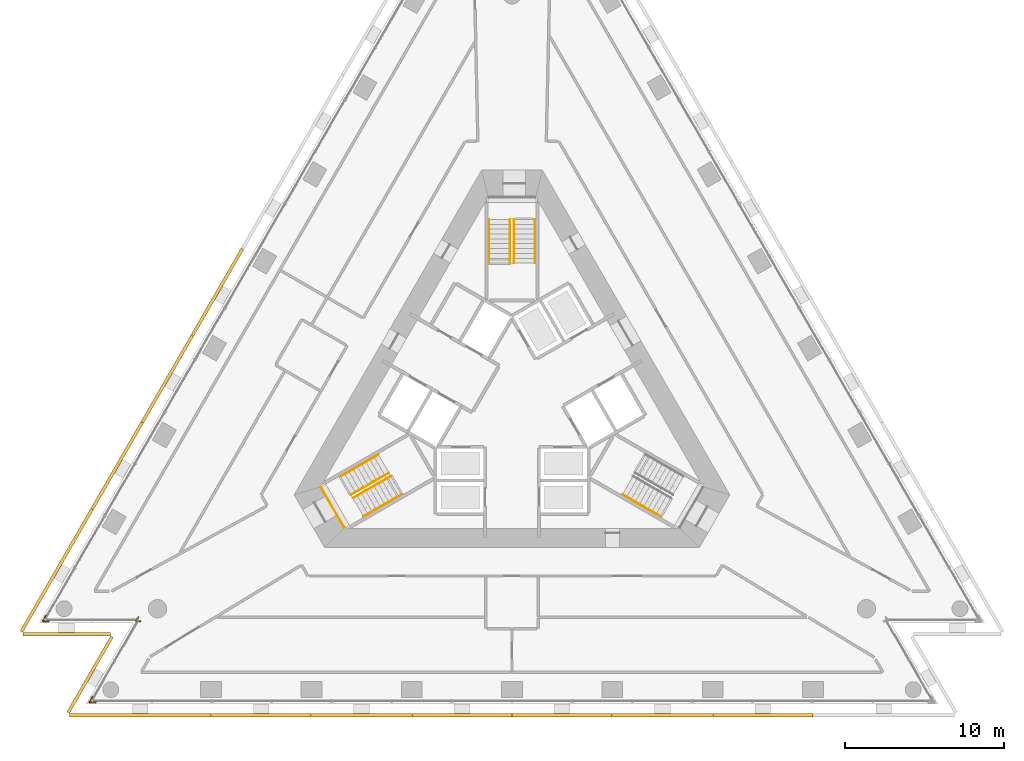
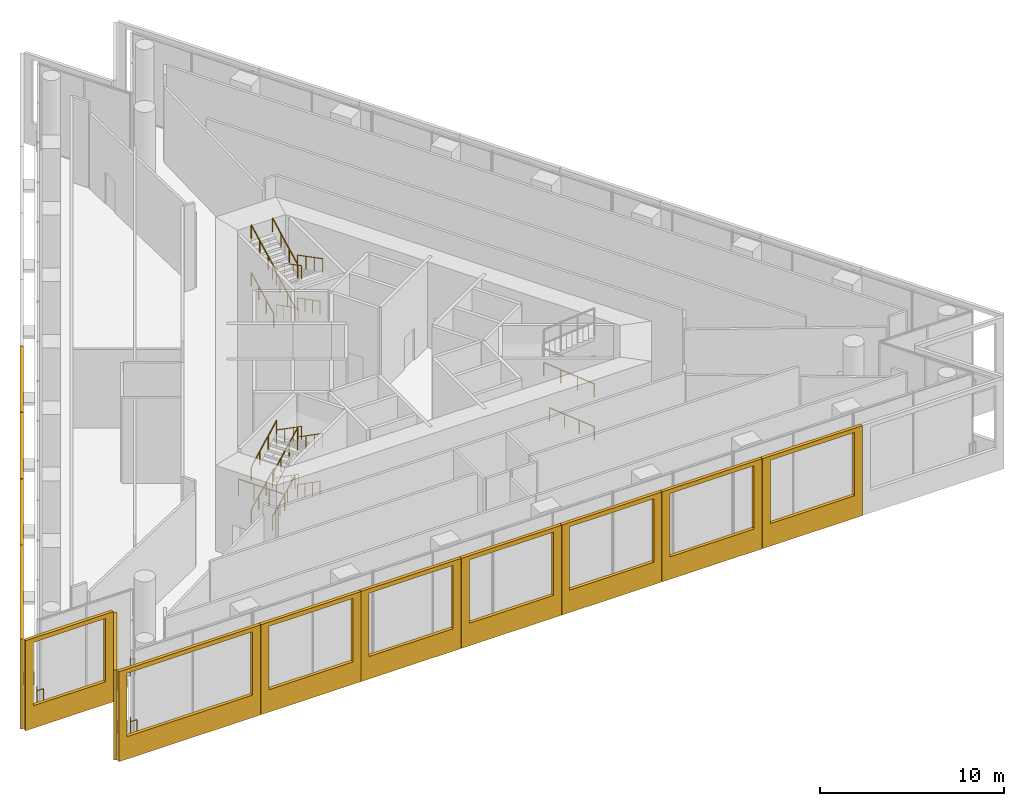
# One storey, part 15 of 18: 22 railings, 13 shading devices, 3 elements without a shape of their own.
"""IFC4 building model written with IfcOpenShell, lengths in metres."""

from ifc_helpers import new_model, si_unit, direction, frame, origin, origin_2d, place, context, subcontext, project, spatial, polyline, circle, outline, extrude, material, layer, layer_set, type_object, element, aggregate, save


model = new_model("IFC4")

# Units and contexts
model_context = context("Model", 3, precision=1e-05, world=origin(), true_north=direction((0.0, 1.0)))
body_context = subcontext(model_context, "Body", "Model", "MODEL_VIEW")
ifc_project = project(units=[si_unit("LENGTHUNIT", "METRE"), si_unit("AREAUNIT", "SQUARE_METRE"), si_unit("VOLUMEUNIT", "CUBIC_METRE"), si_unit("PLANEANGLEUNIT", "RADIAN"), si_unit("MASSUNIT", "GRAM", prefix="KILO")], contexts=[model_context])

# Site, building, storey
site_placement = place(None, origin())
site = spatial("IfcSite", under=ifc_project, at=site_placement, CompositionType="ELEMENT")
building_placement = place(site_placement, origin())
building = spatial("IfcBuilding", under=site, at=building_placement, Name="Triada Interchange Tower", CompositionType="ELEMENT")
storey_placement = place(building_placement, frame((0.0, 0.0, 185.300048828125)))
storey = spatial("IfcBuildingStorey", under=building, at=storey_placement, Name="L43", CompositionType="ELEMENT", Elevation=185.300048828125)

# Railings
ifc_material_1 = material(Name="Stainless steel 1.4301", Category="steel")
railing_type_1 = type_object("IfcRailingType", Name="Edge guard 1100", PredefinedType="GUARDRAIL", material=ifc_material_1)
railing_1_placement = place(storey_placement, frame((-29.285888671875, -13.281982421875, 0.0)))
element("IfcRailing", 1, at=railing_1_placement, inside=storey, type_object=railing_type_1, Name="Edge guard L43 corner 02", PredefinedType="GUARDRAIL", context=body_context, shape_type="SweptSolid", body=[
    extrude(circle(Radius=0.02392578125, at=origin_2d()), frame((0.0, 0.0, 1.076171875), z_axis=(-0.499757119926, -0.866165585257, 0.0), x_axis=(0.866165585257, -0.499757119926, 0.0)), (0.0, 0.0, 1.0), 0.406494140625),
    extrude(circle(Radius=0.02392578125, at=origin_2d()), frame((-0.203125, -0.35205078125, 1.076171875), z_axis=(1.0, 0.0, 0.0), x_axis=(0.0, 1.0, 0.0)), (0.0, 0.0, 1.0), 0.406005859375),
    extrude(circle(Radius=0.02099609375, at=origin_2d()), origin(), (0.0, 0.0, 1.0), 1.052001953125),
    extrude(circle(Radius=0.02099609375, at=origin_2d()), frame((-0.203125, -0.35205078125, 0.0)), (0.0, 0.0, 1.0), 1.052001953125),
    extrude(circle(Radius=0.02099609375, at=origin_2d()), frame((0.202880859375, -0.35205078125, 0.0)), (0.0, 0.0, 1.0), 1.052001953125),
])
railing_2_placement = place(storey_placement, frame((-23.3291015625, -13.634033203125, 0.0)))
element("IfcRailing", 2, at=railing_2_placement, inside=storey, type_object=railing_type_1, Name="Edge guard L43 corner 03", PredefinedType="GUARDRAIL", context=body_context, shape_type="SweptSolid", body=[
    extrude(circle(Radius=0.02392578125, at=origin_2d()), frame((0.0, 0.0, 1.076171875), z_axis=(-1.0, 0.0, 0.0), x_axis=(0.0, -1.0, 0.0)), (0.0, 0.0, 1.0), 0.285888671875),
    extrude(circle(Radius=0.02392578125, at=origin_2d()), frame((-0.285888671875, 0.0, 1.076171875), z_axis=(0.49962403686, 0.866242357422, 0.0), x_axis=(-0.866242357422, 0.49962403686, 0.0)), (0.0, 0.0, 1.0), 0.286376953125),
    extrude(circle(Radius=0.02099609375, at=origin_2d()), origin(), (0.0, 0.0, 1.0), 1.052001953125),
    extrude(circle(Radius=0.02099609375, at=origin_2d()), frame((-0.285888671875, 0.0, 0.0)), (0.0, 0.0, 1.0), 1.052001953125),
    extrude(circle(Radius=0.02099609375, at=origin_2d()), frame((-0.142822265625, 0.248046875, 0.0)), (0.0, 0.0, 1.0), 1.052001953125),
])
railing_3_placement = place(storey_placement, frame((-26.34912109375, -18.368896484375, 0.0)))
element("IfcRailing", 3, at=railing_3_placement, inside=storey, type_object=railing_type_1, Name="Edge guard L43 corner 04", PredefinedType="GUARDRAIL", context=body_context, shape_type="SweptSolid", body=[
    extrude(circle(Radius=0.02392578125, at=origin_2d()), frame((0.0, 0.0, 1.076171875), z_axis=(-0.49930626892, -0.866425559305, 0.0), x_axis=(0.866425559305, -0.49930626892, 0.0)), (0.0, 0.0, 1.0), 0.40625),
    extrude(circle(Radius=0.02392578125, at=origin_2d()), frame((-0.202880859375, -0.35205078125, 1.076171875), z_axis=(1.0, 0.0, 0.0), x_axis=(0.0, 1.0, 0.0)), (0.0, 0.0, 1.0), 0.406005859375),
    extrude(circle(Radius=0.02099609375, at=origin_2d()), origin(), (0.0, 0.0, 1.0), 1.052001953125),
    extrude(circle(Radius=0.02099609375, at=origin_2d()), frame((-0.202880859375, -0.35205078125, 0.0)), (0.0, 0.0, 1.0), 1.052001953125),
    extrude(circle(Radius=0.02099609375, at=origin_2d()), frame((0.203125, -0.35205078125, 0.0)), (0.0, 0.0, 1.0), 1.052001953125),
])

# Shading devices
ifc_material_2 = material(Name="Concrete C50/60 precast", Category="concrete")
ifc_layer_1 = layer(ifc_material_2, 0.02001953125, Name="Exposed aggregate face")
ifc_layer_2 = layer(ifc_material_2, 0.179931640625, Name="Precast concrete screen")
ifc_layer_set = layer_set([ifc_layer_1, ifc_layer_2], Name="Outer skin screen panel 5980")
shading_device_type = type_object("IfcShadingDeviceType", Name="Outer skin screen panel 5980", PredefinedType="SHUTTER", material=ifc_layer_set)
shading_device_1_placement = place(storey_placement, frame((-16.842041015625, 9.7119140625, -0.590087890625), z_axis=(0.0, 0.0, 1.0), x_axis=(-0.499964741488, -0.866045759339, 0.0)))
element("IfcShadingDevice", 4, at=shading_device_1_placement, inside=storey, type_object=shading_device_type, Name="Outer skin screen panel L43 05", PredefinedType="SHUTTER", context=body_context, shape_type="SweptSolid", body=[
    extrude(outline(polyline([(0.0, 0.0), (6.2802734375, 0.0), (6.2802734375, 5.97998046875), (0.0, 5.97998046875), (0.0, 0.0)]), holes=[polyline([(0.5, 1.489990234375), (0.5, 5.699951171875), (5.7802734375, 5.699951171875), (5.7802734375, 1.489990234375), (0.5, 1.489990234375)])]), frame((0.0, 0.0, 0.0), z_axis=(0.0, -1.0, 0.0), x_axis=(1.0, 0.0, 0.0)), (0.0, 0.0, 1.0), 0.199951171875),
])
shading_device_2_placement = place(storey_placement, frame((-19.991943359375, 4.256103515625, -0.590087890625), z_axis=(0.0, 0.0, 1.0), x_axis=(-0.499977065662, -0.866038644526, 0.0)))
element("IfcShadingDevice", 5, at=shading_device_2_placement, inside=storey, type_object=shading_device_type, Name="Outer skin screen panel L43 06", PredefinedType="SHUTTER", context=body_context, shape_type="SweptSolid", body=[
    extrude(outline(polyline([(0.0, 0.0), (6.280517578125, 0.0), (6.280517578125, 5.97998046875), (0.0, 5.97998046875), (0.0, 0.0)]), holes=[polyline([(0.5, 1.489990234375), (0.5, 5.699951171875), (5.7802734375, 5.699951171875), (5.7802734375, 1.489990234375), (0.5, 1.489990234375)])]), frame((0.0, 0.0, 0.0), z_axis=(0.0, -1.0, 0.0), x_axis=(1.0, 0.0, 0.0)), (0.0, 0.0, 1.0), 0.199951171875),
])
shading_device_3_placement = place(storey_placement, frame((-23.14208984375, -1.199951171875, -0.590087890625), z_axis=(0.0, 0.0, 1.0), x_axis=(-0.499964741488, -0.866045759339, 0.0)))
element("IfcShadingDevice", 6, at=shading_device_3_placement, inside=storey, type_object=shading_device_type, Name="Outer skin screen panel L43 07", PredefinedType="SHUTTER", context=body_context, shape_type="SweptSolid", body=[
    extrude(outline(polyline([(0.0, 0.0), (6.2802734375, 0.0), (6.2802734375, 5.97998046875), (0.0, 5.97998046875), (0.0, 0.0)]), holes=[polyline([(0.5, 1.489990234375), (0.5, 5.699951171875), (5.7802734375, 5.699951171875), (5.7802734375, 1.489990234375), (0.5, 1.489990234375)])]), frame((0.0, 0.0, 0.0), z_axis=(0.0, -1.0, 0.0), x_axis=(1.0, 0.0, 0.0)), (0.0, 0.0, 1.0), 0.199951171875),
])
shading_device_4_placement = place(storey_placement, frame((-26.2919921875, -6.656005859375, -0.590087890625), z_axis=(0.0, 0.0, 1.0), x_axis=(-0.499977945113, -0.866038136805, 0.0)))
element("IfcShadingDevice", 7, at=shading_device_4_placement, inside=storey, type_object=shading_device_type, Name="Outer skin screen panel L43 08", PredefinedType="SHUTTER", context=body_context, shape_type="SweptSolid", body=[
    extrude(outline(polyline([(0.0, 0.0), (8.87841796875, 0.0), (8.87841796875, 5.97998046875), (0.0, 5.97998046875), (0.0, 0.0)]), holes=[polyline([(0.5, 1.489990234375), (0.5, 5.699951171875), (8.37841796875, 5.699951171875), (8.37841796875, 1.489990234375), (0.5, 1.489990234375)])]), frame((0.0, 0.0, 0.0), z_axis=(0.0, -1.0, 0.0), x_axis=(1.0, 0.0, 0.0)), (0.0, 0.0, 1.0), 0.199951171875),
])
shading_device_5_placement = place(storey_placement, frame((-30.72607421875, -14.35400390625, -0.590087890625), z_axis=(0.0, 0.0, 1.0), x_axis=(1.0, 0.0, 0.0)))
element("IfcShadingDevice", 8, at=shading_device_5_placement, inside=storey, type_object=shading_device_type, Name="Outer skin screen panel L43 09", PredefinedType="SHUTTER", context=body_context, shape_type="SweptSolid", body=[
    extrude(outline(polyline([(0.0, 0.0), (5.507080078125, 0.0), (5.507080078125, 5.97998046875), (0.0, 5.97998046875), (0.0, 0.0)]), holes=[polyline([(0.5, 1.489990234375), (0.5, 5.699951171875), (5.007080078125, 5.699951171875), (5.007080078125, 1.489990234375), (0.5, 1.489990234375)])]), frame((0.0, 0.0, 0.0), z_axis=(0.0, -1.0, 0.0), x_axis=(1.0, 0.0, 0.0)), (0.0, 0.0, 1.0), 0.199951171875),
])
shading_device_6_placement = place(storey_placement, frame((-25.041015625, -14.6630859375, -0.590087890625), z_axis=(0.0, 0.0, 1.0), x_axis=(-0.499954016204, -0.866051950914, 0.0)))
element("IfcShadingDevice", 9, at=shading_device_6_placement, inside=storey, type_object=shading_device_type, Name="Outer skin screen panel L43 10", PredefinedType="SHUTTER", context=body_context, shape_type="SweptSolid", body=[
    extrude(outline(polyline([(0.0, 0.0), (5.50634765625, 0.0), (5.50634765625, 5.97998046875), (0.0, 5.97998046875), (0.0, 0.0)]), holes=[polyline([(0.5, 1.489990234375), (0.5, 5.699951171875), (5.00732421875, 5.699951171875), (5.00732421875, 1.489990234375), (0.5, 1.489990234375)])]), frame((0.0, 0.0, 0.0), z_axis=(0.0, -1.0, 0.0), x_axis=(1.0, 0.0, 0.0)), (0.0, 0.0, 1.0), 0.199951171875),
])
shading_device_7_placement = place(storey_placement, frame((-27.7890625, -19.44091796875, -0.590087890625), z_axis=(0.0, 0.0, 1.0), x_axis=(1.0, 0.0, 0.0)))
element("IfcShadingDevice", 10, at=shading_device_7_placement, inside=storey, type_object=shading_device_type, Name="Outer skin screen panel L43 11", PredefinedType="SHUTTER", context=body_context, shape_type="SweptSolid", body=[
    extrude(outline(polyline([(0.0, 0.0), (8.878173828125, 0.0), (8.878173828125, 5.97998046875), (0.0, 5.97998046875), (0.0, 0.0)]), holes=[polyline([(0.5, 1.489990234375), (0.5, 5.699951171875), (8.378173828125, 5.699951171875), (8.378173828125, 1.489990234375), (0.5, 1.489990234375)])]), frame((0.0, 0.0, 0.0), z_axis=(0.0, -1.0, 0.0), x_axis=(1.0, 0.0, 0.0)), (0.0, 0.0, 1.0), 0.199951171875),
])
shading_device_8_placement = place(storey_placement, frame((-18.89111328125, -19.44091796875, -0.590087890625), z_axis=(0.0, 0.0, 1.0), x_axis=(1.0, 0.0, 0.0)))
element("IfcShadingDevice", 11, at=shading_device_8_placement, inside=storey, type_object=shading_device_type, Name="Outer skin screen panel L43 12", PredefinedType="SHUTTER", context=body_context, shape_type="SweptSolid", body=[
    extrude(outline(polyline([(0.0, 0.0), (6.281005859375, 0.0), (6.281005859375, 5.97998046875), (0.0, 5.97998046875), (0.0, 0.0)]), holes=[polyline([(0.5, 1.489990234375), (0.5, 5.699951171875), (5.7802734375, 5.699951171875), (5.7802734375, 1.489990234375), (0.5, 1.489990234375)])]), frame((0.0, 0.0, 0.0), z_axis=(0.0, -1.0, 0.0), x_axis=(1.0, 0.0, 0.0)), (0.0, 0.0, 1.0), 0.199951171875),
])
for number, where, z_axis, x_axis, name in (
    (12, (-12.590087890625, -19.44091796875, -0.590087890625), (0.0, 0.0, 1.0), (1.0, 0.0, 0.0), "Outer skin screen panel L43 13"),
    (13, (-6.2900390625, -19.44091796875, -0.590087890625), (0.0, 0.0, 1.0), (1.0, 0.0, 0.0), "Outer skin screen panel L43 14"),
    (14, (0.010009765625, -19.44091796875, -0.590087890625), (0.0, 0.0, 1.0), (1.0, 0.0, 0.0), "Outer skin screen panel L43 15"),
):
    element("IfcShadingDevice", number, at=place(storey_placement, frame(where, z_axis=z_axis, x_axis=x_axis)), inside=storey, type_object=shading_device_type, Name=name, PredefinedType="SHUTTER", context=body_context, shape_type="SweptSolid", body=[
        extrude(outline(polyline([(0.0, 0.0), (6.280029296875, 0.0), (6.280029296875, 5.97998046875), (0.0, 5.97998046875), (0.0, 0.0)]), holes=[polyline([(0.5, 1.489990234375), (0.5, 5.699951171875), (5.7802734375, 5.699951171875), (5.7802734375, 1.489990234375), (0.5, 1.489990234375)])]), frame((0.0, 0.0, 0.0), z_axis=(0.0, -1.0, 0.0), x_axis=(1.0, 0.0, 0.0)), (0.0, 0.0, 1.0), 0.199951171875),
    ])
for number, where, z_axis, x_axis, name in (
    (15, (6.31005859375, -19.44091796875, -0.590087890625), (0.0, 0.0, 1.0), (1.0, 0.0, 0.0), "Outer skin screen panel L43 16"),
    (16, (12.610107421875, -19.44091796875, -0.590087890625), (0.0, 0.0, 1.0), (1.0, 0.0, 0.0), "Outer skin screen panel L43 17"),
):
    element("IfcShadingDevice", number, at=place(storey_placement, frame(where, z_axis=z_axis, x_axis=x_axis)), inside=storey, type_object=shading_device_type, Name=name, PredefinedType="SHUTTER", context=body_context, shape_type="SweptSolid", body=[
        extrude(outline(polyline([(0.0, 0.0), (6.281005859375, 0.0), (6.281005859375, 5.97998046875), (0.0, 5.97998046875), (0.0, 0.0)]), holes=[polyline([(0.5, 1.489990234375), (0.5, 5.699951171875), (5.7802734375, 5.699951171875), (5.7802734375, 1.489990234375), (0.5, 1.489990234375)])]), frame((0.0, 0.0, 0.0), z_axis=(0.0, -1.0, 0.0), x_axis=(1.0, 0.0, 0.0)), (0.0, 0.0, 1.0), 0.199951171875),
    ])

# Stair, railing
ifc_material_3 = material(Name="Concrete C35/45", Category="concrete")
stair_type = type_object("IfcStairType", Name="HALF TURN STAIR 1400", PredefinedType="HALF_TURN_STAIR", material=ifc_material_3)
stair_1_placement = place(storey_placement, origin())
stair_1 = element("IfcStair", 17, at=stair_1_placement, inside=storey, type_object=stair_type, Name="Exit stair S43-2", PredefinedType="HALF_TURN_STAIR")
railing_type_2 = type_object("IfcRailingType", Name="STAIR GUARD 1100", PredefinedType="GUARDRAIL", material=ifc_material_1)
railing_4_placement = place(storey_placement, frame((-11.98291015625, -5.243896484375, 2.842041015625)))
railing_4 = element("IfcRailing", 18, at=railing_4_placement, type_object=railing_type_2, Name="Guard S43-2 1", PredefinedType="GUARDRAIL", context=body_context, shape_type="SweptSolid", body=[
    extrude(circle(Radius=0.02392578125, at=origin_2d()), frame((0.0, 0.0, 1.076171875), z_axis=(0.499877891294, -0.866095891802, 0.0), x_axis=(0.866095891802, 0.499877891294, 0.0)), (0.0, 0.0, 1.0), 2.900634765625),
    extrude(circle(Radius=0.02099609375, at=origin_2d()), origin(), (0.0, 0.0, 1.0), 1.052001953125),
    extrude(circle(Radius=0.02099609375, at=origin_2d()), frame((0.4833984375, -0.83740234375, 0.0)), (0.0, 0.0, 1.0), 1.052001953125),
    extrude(circle(Radius=0.02099609375, at=origin_2d()), frame((0.966552734375, -1.6748046875, 0.0)), (0.0, 0.0, 1.0), 1.052001953125),
    extrude(circle(Radius=0.02099609375, at=origin_2d()), frame((1.449951171875, -2.51220703125, 0.0)), (0.0, 0.0, 1.0), 1.052001953125),
])

# Stair, railings
stair_2_placement = place(storey_placement, origin())
stair_2 = element("IfcStair", 19, at=stair_2_placement, inside=storey, type_object=stair_type, Name="Exit stair S43-1", PredefinedType="HALF_TURN_STAIR")
railing_type_3 = type_object("IfcRailingType", Name="STAIR HANDRAIL 900", PredefinedType="HANDRAIL", material=ifc_material_1)
railing_5_placement = place(storey_placement, frame((1.449951171875, 11.60009765625, 0.157958984375)))
railing_5 = element("IfcRailing", 20, at=railing_5_placement, type_object=railing_type_3, Name="Handrail S43-1 1W", PredefinedType="HANDRAIL", context=body_context, shape_type="SweptSolid", body=[
    extrude(circle(Radius=0.02392578125, at=origin_2d()), frame((0.0, 0.0, 0.8759765625), z_axis=(0.0, -0.888102587674, 0.459645291249), x_axis=(1.0, 0.0, 0.0)), (0.0, 0.0, 1.0), 2.74755859375),
    extrude(circle(Radius=0.02099609375, at=origin_2d()), origin(), (0.0, 0.0, 1.0), 0.851806640625),
    extrude(circle(Radius=0.02099609375, at=origin_2d()), frame((0.0, -0.8134765625, 0.4208984375)), (0.0, 0.0, 1.0), 0.851806640625),
    extrude(circle(Radius=0.02099609375, at=origin_2d()), frame((0.0, -1.626708984375, 0.842041015625)), (0.0, 0.0, 1.0), 0.851806640625),
    extrude(circle(Radius=0.02099609375, at=origin_2d()), frame((0.0, -2.440185546875, 1.262939453125)), (0.0, 0.0, 1.0), 0.851806640625),
])
railing_6_placement = place(storey_placement, frame((0.1201171875, 11.60009765625, 0.157958984375)))
railing_6 = element("IfcRailing", 21, at=railing_6_placement, type_object=railing_type_3, Name="Handrail S43-1 1C", PredefinedType="HANDRAIL", context=body_context, shape_type="SweptSolid", body=[
    extrude(circle(Radius=0.02392578125, at=origin_2d()), frame((0.0, 0.0, 0.8759765625), z_axis=(0.0, -0.888102587674, 0.459645291249), x_axis=(1.0, 0.0, 0.0)), (0.0, 0.0, 1.0), 2.74755859375),
    extrude(circle(Radius=0.02099609375, at=origin_2d()), origin(), (0.0, 0.0, 1.0), 0.851806640625),
    extrude(circle(Radius=0.02099609375, at=origin_2d()), frame((0.0, -0.8134765625, 0.4208984375)), (0.0, 0.0, 1.0), 0.851806640625),
    extrude(circle(Radius=0.02099609375, at=origin_2d()), frame((0.0, -1.626708984375, 0.842041015625)), (0.0, 0.0, 1.0), 0.851806640625),
    extrude(circle(Radius=0.02099609375, at=origin_2d()), frame((0.0, -2.440185546875, 1.262939453125)), (0.0, 0.0, 1.0), 0.851806640625),
])
railing_7_placement = place(storey_placement, frame((-1.449951171875, 9.159912109375, 1.578857421875)))
railing_7 = element("IfcRailing", 22, at=railing_7_placement, type_object=railing_type_3, Name="Handrail S43-1 2W", PredefinedType="HANDRAIL", context=body_context, shape_type="SweptSolid", body=[
    extrude(circle(Radius=0.02392578125, at=origin_2d()), frame((0.0, 0.0, 0.8759765625), z_axis=(0.0, 0.888066314826, 0.459715368975), x_axis=(-1.0, 0.0, 0.0)), (0.0, 0.0, 1.0), 2.747802734375),
    extrude(circle(Radius=0.02099609375, at=origin_2d()), origin(), (0.0, 0.0, 1.0), 0.851806640625),
    extrude(circle(Radius=0.02099609375, at=origin_2d()), frame((0.0, 0.8134765625, 0.421142578125)), (0.0, 0.0, 1.0), 0.851806640625),
    extrude(circle(Radius=0.02099609375, at=origin_2d()), frame((0.0, 1.626708984375, 0.842041015625)), (0.0, 0.0, 1.0), 0.851806640625),
    extrude(circle(Radius=0.02099609375, at=origin_2d()), frame((0.0, 2.440185546875, 1.26318359375)), (0.0, 0.0, 1.0), 0.851806640625),
])
railing_8_placement = place(storey_placement, frame((-0.1201171875, 9.159912109375, 1.578857421875)))
railing_8 = element("IfcRailing", 23, at=railing_8_placement, type_object=railing_type_3, Name="Handrail S43-1 2C", PredefinedType="HANDRAIL", context=body_context, shape_type="SweptSolid", body=[
    extrude(circle(Radius=0.02392578125, at=origin_2d()), frame((0.0, 0.0, 0.8759765625), z_axis=(0.0, 0.888066314826, 0.459715368975), x_axis=(-1.0, 0.0, 0.0)), (0.0, 0.0, 1.0), 2.747802734375),
    extrude(circle(Radius=0.02099609375, at=origin_2d()), origin(), (0.0, 0.0, 1.0), 0.851806640625),
    extrude(circle(Radius=0.02099609375, at=origin_2d()), frame((0.0, 0.8134765625, 0.421142578125)), (0.0, 0.0, 1.0), 0.851806640625),
    extrude(circle(Radius=0.02099609375, at=origin_2d()), frame((0.0, 1.626708984375, 0.842041015625)), (0.0, 0.0, 1.0), 0.851806640625),
    extrude(circle(Radius=0.02099609375, at=origin_2d()), frame((0.0, 2.440185546875, 1.26318359375)), (0.0, 0.0, 1.0), 0.851806640625),
])
railing_9_placement = place(storey_placement, frame((1.449951171875, 11.60009765625, 2.999755859375)))
railing_9 = element("IfcRailing", 24, at=railing_9_placement, type_object=railing_type_3, Name="Handrail S43-1 3W", PredefinedType="HANDRAIL", context=body_context, shape_type="SweptSolid", body=[
    extrude(circle(Radius=0.02392578125, at=origin_2d()), frame((0.0, 0.0, 0.8759765625), z_axis=(0.0, -0.888051994022, 0.45974303248), x_axis=(1.0, 0.0, 0.0)), (0.0, 0.0, 1.0), 3.091064453125),
    extrude(circle(Radius=0.02099609375, at=origin_2d()), origin(), (0.0, 0.0, 1.0), 0.851806640625),
    extrude(circle(Radius=0.02099609375, at=origin_2d()), frame((0.0, -0.9150390625, 0.4736328125)), (0.0, 0.0, 1.0), 0.851806640625),
    extrude(circle(Radius=0.02099609375, at=origin_2d()), frame((0.0, -1.830078125, 0.947509765625)), (0.0, 0.0, 1.0), 0.851806640625),
    extrude(circle(Radius=0.02099609375, at=origin_2d()), frame((0.0, -2.7451171875, 1.421142578125)), (0.0, 0.0, 1.0), 0.851806640625),
])
railing_10_placement = place(storey_placement, frame((0.1201171875, 11.60009765625, 2.999755859375)))
railing_10 = element("IfcRailing", 25, at=railing_10_placement, type_object=railing_type_3, Name="Handrail S43-1 3C", PredefinedType="HANDRAIL", context=body_context, shape_type="SweptSolid", body=[
    extrude(circle(Radius=0.02392578125, at=origin_2d()), frame((0.0, 0.0, 0.8759765625), z_axis=(0.0, -0.888051994022, 0.45974303248), x_axis=(1.0, 0.0, 0.0)), (0.0, 0.0, 1.0), 3.091064453125),
    extrude(circle(Radius=0.02099609375, at=origin_2d()), origin(), (0.0, 0.0, 1.0), 0.851806640625),
    extrude(circle(Radius=0.02099609375, at=origin_2d()), frame((0.0, -0.9150390625, 0.4736328125)), (0.0, 0.0, 1.0), 0.851806640625),
    extrude(circle(Radius=0.02099609375, at=origin_2d()), frame((0.0, -1.830078125, 0.947509765625)), (0.0, 0.0, 1.0), 0.851806640625),
    extrude(circle(Radius=0.02099609375, at=origin_2d()), frame((0.0, -2.7451171875, 1.421142578125)), (0.0, 0.0, 1.0), 0.851806640625),
])
railing_11_placement = place(storey_placement, frame((-1.449951171875, 8.85498046875, 4.578857421875)))
railing_11 = element("IfcRailing", 26, at=railing_11_placement, type_object=railing_type_3, Name="Handrail S43-1 4W", PredefinedType="HANDRAIL", context=body_context, shape_type="SweptSolid", body=[
    extrude(circle(Radius=0.02392578125, at=origin_2d()), frame((0.0, 0.0, 0.8759765625), z_axis=(0.0, 0.888084238656, 0.459680742527), x_axis=(-1.0, 0.0, 0.0)), (0.0, 0.0, 1.0), 3.091064453125),
    extrude(circle(Radius=0.02099609375, at=origin_2d()), origin(), (0.0, 0.0, 1.0), 0.851806640625),
    extrude(circle(Radius=0.02099609375, at=origin_2d()), frame((0.0, 0.9150390625, 0.4736328125)), (0.0, 0.0, 1.0), 0.851806640625),
    extrude(circle(Radius=0.02099609375, at=origin_2d()), frame((0.0, 1.830078125, 0.947265625)), (0.0, 0.0, 1.0), 0.851806640625),
    extrude(circle(Radius=0.02099609375, at=origin_2d()), frame((0.0, 2.7451171875, 1.4208984375)), (0.0, 0.0, 1.0), 0.851806640625),
])
railing_12_placement = place(storey_placement, frame((-0.1201171875, 8.85498046875, 4.578857421875)))
railing_12 = element("IfcRailing", 27, at=railing_12_placement, type_object=railing_type_3, Name="Handrail S43-1 4C", PredefinedType="HANDRAIL", context=body_context, shape_type="SweptSolid", body=[
    extrude(circle(Radius=0.02392578125, at=origin_2d()), frame((0.0, 0.0, 0.8759765625), z_axis=(0.0, 0.888084238656, 0.459680742527), x_axis=(-1.0, 0.0, 0.0)), (0.0, 0.0, 1.0), 3.091064453125),
    extrude(circle(Radius=0.02099609375, at=origin_2d()), origin(), (0.0, 0.0, 1.0), 0.851806640625),
    extrude(circle(Radius=0.02099609375, at=origin_2d()), frame((0.0, 0.9150390625, 0.4736328125)), (0.0, 0.0, 1.0), 0.851806640625),
    extrude(circle(Radius=0.02099609375, at=origin_2d()), frame((0.0, 1.830078125, 0.947265625)), (0.0, 0.0, 1.0), 0.851806640625),
    extrude(circle(Radius=0.02099609375, at=origin_2d()), frame((0.0, 2.7451171875, 1.4208984375)), (0.0, 0.0, 1.0), 0.851806640625),
])
aggregate(stair_2, [railing_5, railing_6, railing_7, railing_8, railing_9, railing_10, railing_11, railing_12])

# Railing
railing_13_placement = place(storey_placement, frame((-10.77099609375, -4.5439453125, 0.157958984375)))
railing_13 = element("IfcRailing", 28, at=railing_13_placement, type_object=railing_type_3, Name="Handrail S43-2 1W", PredefinedType="HANDRAIL", context=body_context, shape_type="SweptSolid", body=[
    extrude(circle(Radius=0.02392578125, at=origin_2d()), frame((0.0, 0.0, 0.8759765625), z_axis=(0.769101041409, 0.444043663076, 0.459683383848), x_axis=(-0.500002508028, 0.866023955769, 0.0)), (0.0, 0.0, 1.0), 2.747314453125),
    extrude(circle(Radius=0.02099609375, at=origin_2d()), origin(), (0.0, 0.0, 1.0), 0.851806640625),
    extrude(circle(Radius=0.02099609375, at=origin_2d()), frame((0.704345703125, 0.40673828125, 0.4208984375)), (0.0, 0.0, 1.0), 0.851806640625),
    extrude(circle(Radius=0.02099609375, at=origin_2d()), frame((1.40869140625, 0.813232421875, 0.842041015625)), (0.0, 0.0, 1.0), 0.851806640625),
    extrude(circle(Radius=0.02099609375, at=origin_2d()), frame((2.113037109375, 1.219970703125, 1.262939453125)), (0.0, 0.0, 1.0), 0.851806640625),
])

railing_14_placement = place(storey_placement, frame((-10.10595703125, -5.696044921875, 0.157958984375)))
railing_14 = element("IfcRailing", 29, at=railing_14_placement, type_object=railing_type_3, Name="Handrail S43-2 1C", PredefinedType="HANDRAIL", context=body_context, shape_type="SweptSolid", body=[
    extrude(circle(Radius=0.02392578125, at=origin_2d()), frame((0.0, 0.0, 0.8759765625), z_axis=(0.769101041409, 0.444043663076, 0.459683383848), x_axis=(-0.500002508028, 0.866023955769, 0.0)), (0.0, 0.0, 1.0), 2.747314453125),
    extrude(circle(Radius=0.02099609375, at=origin_2d()), origin(), (0.0, 0.0, 1.0), 0.851806640625),
    extrude(circle(Radius=0.02099609375, at=origin_2d()), frame((0.704345703125, 0.40673828125, 0.4208984375)), (0.0, 0.0, 1.0), 0.851806640625),
    extrude(circle(Radius=0.02099609375, at=origin_2d()), frame((1.40869140625, 0.813232421875, 0.842041015625)), (0.0, 0.0, 1.0), 0.851806640625),
    extrude(circle(Radius=0.02099609375, at=origin_2d()), frame((2.113037109375, 1.219970703125, 1.262939453125)), (0.0, 0.0, 1.0), 0.851806640625),
])

railing_15_placement = place(storey_placement, frame((-7.2080078125, -5.8359375, 1.578857421875)))
railing_15 = element("IfcRailing", 30, at=railing_15_placement, type_object=railing_type_3, Name="Handrail S43-2 2W", PredefinedType="HANDRAIL", context=body_context, shape_type="SweptSolid", body=[
    extrude(circle(Radius=0.02392578125, at=origin_2d()), frame((0.0, 0.0, 0.8759765625), z_axis=(-0.769069623744, -0.444025523957, 0.45975346427), x_axis=(0.500002508028, -0.866023955769, 0.0)), (0.0, 0.0, 1.0), 2.74755859375),
    extrude(circle(Radius=0.02099609375, at=origin_2d()), origin(), (0.0, 0.0, 1.0), 0.851806640625),
    extrude(circle(Radius=0.02099609375, at=origin_2d()), frame((-0.704345703125, -0.40673828125, 0.421142578125)), (0.0, 0.0, 1.0), 0.851806640625),
    extrude(circle(Radius=0.02099609375, at=origin_2d()), frame((-1.40869140625, -0.813232421875, 0.842041015625)), (0.0, 0.0, 1.0), 0.851806640625),
    extrude(circle(Radius=0.02099609375, at=origin_2d()), frame((-2.113037109375, -1.219970703125, 1.26318359375)), (0.0, 0.0, 1.0), 0.851806640625),
])

railing_16_placement = place(storey_placement, frame((-7.873046875, -4.68408203125, 1.578857421875)))
railing_16 = element("IfcRailing", 31, at=railing_16_placement, type_object=railing_type_3, Name="Handrail S43-2 2C", PredefinedType="HANDRAIL", context=body_context, shape_type="SweptSolid", body=[
    extrude(circle(Radius=0.02392578125, at=origin_2d()), frame((0.0, 0.0, 0.8759765625), z_axis=(-0.769069623744, -0.444025523957, 0.45975346427), x_axis=(0.500002508028, -0.866023955769, 0.0)), (0.0, 0.0, 1.0), 2.74755859375),
    extrude(circle(Radius=0.02099609375, at=origin_2d()), origin(), (0.0, 0.0, 1.0), 0.851806640625),
    extrude(circle(Radius=0.02099609375, at=origin_2d()), frame((-0.704345703125, -0.40673828125, 0.421142578125)), (0.0, 0.0, 1.0), 0.851806640625),
    extrude(circle(Radius=0.02099609375, at=origin_2d()), frame((-1.40869140625, -0.813232421875, 0.842041015625)), (0.0, 0.0, 1.0), 0.851806640625),
    extrude(circle(Radius=0.02099609375, at=origin_2d()), frame((-2.113037109375, -1.219970703125, 1.26318359375)), (0.0, 0.0, 1.0), 0.851806640625),
])

railing_17_placement = place(storey_placement, frame((-10.77099609375, -4.5439453125, 2.999755859375)))
railing_17 = element("IfcRailing", 32, at=railing_17_placement, type_object=railing_type_3, Name="Handrail S43-2 3W", PredefinedType="HANDRAIL", context=body_context, shape_type="SweptSolid", body=[
    extrude(circle(Radius=0.02392578125, at=origin_2d()), frame((0.0, 0.0, 0.8759765625), z_axis=(0.769105203306, 0.443878609016, 0.459835804072), x_axis=(-0.49986106923, 0.866105600645, 0.0)), (0.0, 0.0, 1.0), 3.090576171875),
    extrude(circle(Radius=0.02099609375, at=origin_2d()), origin(), (0.0, 0.0, 1.0), 0.851806640625),
    extrude(circle(Radius=0.02099609375, at=origin_2d()), frame((0.792236328125, 0.457275390625, 0.4736328125)), (0.0, 0.0, 1.0), 0.851806640625),
    extrude(circle(Radius=0.02099609375, at=origin_2d()), frame((1.584716796875, 0.91455078125, 0.947509765625)), (0.0, 0.0, 1.0), 0.851806640625),
    extrude(circle(Radius=0.02099609375, at=origin_2d()), frame((2.376953125, 1.371826171875, 1.421142578125)), (0.0, 0.0, 1.0), 0.851806640625),
])

railing_18_placement = place(storey_placement, frame((-10.10595703125, -5.696044921875, 2.999755859375)))
railing_18 = element("IfcRailing", 33, at=railing_18_placement, type_object=railing_type_3, Name="Handrail S43-2 3C", PredefinedType="HANDRAIL", context=body_context, shape_type="SweptSolid", body=[
    extrude(circle(Radius=0.02392578125, at=origin_2d()), frame((0.0, 0.0, 0.8759765625), z_axis=(0.768970336804, 0.444195683462, 0.459755169529), x_axis=(-0.500194616298, 0.865913012852, 0.0)), (0.0, 0.0, 1.0), 3.091064453125),
    extrude(circle(Radius=0.02099609375, at=origin_2d()), origin(), (0.0, 0.0, 1.0), 0.851806640625),
    extrude(circle(Radius=0.02099609375, at=origin_2d()), frame((0.792236328125, 0.457763671875, 0.4736328125)), (0.0, 0.0, 1.0), 0.851806640625),
    extrude(circle(Radius=0.02099609375, at=origin_2d()), frame((1.584716796875, 0.915283203125, 0.947509765625)), (0.0, 0.0, 1.0), 0.851806640625),
    extrude(circle(Radius=0.02099609375, at=origin_2d()), frame((2.376953125, 1.373046875, 1.421142578125)), (0.0, 0.0, 1.0), 0.851806640625),
])

railing_19_placement = place(storey_placement, frame((-6.944091796875, -5.68310546875, 4.578857421875)))
railing_19 = element("IfcRailing", 34, at=railing_19_placement, type_object=railing_type_3, Name="Handrail S43-2 4W", PredefinedType="HANDRAIL", context=body_context, shape_type="SweptSolid", body=[
    extrude(circle(Radius=0.02392578125, at=origin_2d()), frame((0.0, 0.0, 0.8759765625), z_axis=(-0.769133140326, -0.443894732487, 0.459773508288), x_axis=(0.49986106923, -0.866105600645, 0.0)), (0.0, 0.0, 1.0), 3.09033203125),
    extrude(circle(Radius=0.02099609375, at=origin_2d()), origin(), (0.0, 0.0, 1.0), 0.851806640625),
    extrude(circle(Radius=0.02099609375, at=origin_2d()), frame((-0.792236328125, -0.457275390625, 0.4736328125)), (0.0, 0.0, 1.0), 0.851806640625),
    extrude(circle(Radius=0.02099609375, at=origin_2d()), frame((-1.584716796875, -0.91455078125, 0.947265625)), (0.0, 0.0, 1.0), 0.851806640625),
    extrude(circle(Radius=0.02099609375, at=origin_2d()), frame((-2.376953125, -1.371826171875, 1.4208984375)), (0.0, 0.0, 1.0), 0.851806640625),
])

railing_20_placement = place(storey_placement, frame((-7.60888671875, -4.531005859375, 4.578857421875)))
railing_20 = element("IfcRailing", 35, at=railing_20_placement, type_object=railing_type_3, Name="Handrail S43-2 4C", PredefinedType="HANDRAIL", context=body_context, shape_type="SweptSolid", body=[
    extrude(circle(Radius=0.02392578125, at=origin_2d()), frame((0.0, 0.0, 0.8759765625), z_axis=(-0.769030532764, -0.444184832727, 0.459664958477), x_axis=(0.500156096934, -0.865935262419, 0.0)), (0.0, 0.0, 1.0), 3.091064453125),
    extrude(circle(Radius=0.02099609375, at=origin_2d()), origin(), (0.0, 0.0, 1.0), 0.851806640625),
    extrude(circle(Radius=0.02099609375, at=origin_2d()), frame((-0.79248046875, -0.457763671875, 0.4736328125)), (0.0, 0.0, 1.0), 0.851806640625),
    extrude(circle(Radius=0.02099609375, at=origin_2d()), frame((-1.584716796875, -0.915283203125, 0.947265625)), (0.0, 0.0, 1.0), 0.851806640625),
    extrude(circle(Radius=0.02099609375, at=origin_2d()), frame((-2.377197265625, -1.373046875, 1.4208984375)), (0.0, 0.0, 1.0), 0.851806640625),
])

aggregate(stair_1, [railing_13, railing_14, railing_15, railing_16, railing_17, railing_18, railing_19, railing_20, railing_4])

# Stair, railings
stair_3_placement = place(storey_placement, origin())
stair_3 = element("IfcStair", 36, at=stair_3_placement, inside=storey, type_object=stair_type, Name="Exit stair S43-3", PredefinedType="HALF_TURN_STAIR")
railing_21_placement = place(storey_placement, frame((9.321044921875, -7.055908203125, 0.157958984375)))
railing_21 = element("IfcRailing", 37, at=railing_21_placement, type_object=railing_type_3, Name="Handrail S43-3 1W", PredefinedType="HANDRAIL", context=body_context, shape_type="SweptSolid", body=[
    extrude(circle(Radius=0.02392578125, at=origin_2d()), frame((0.0, 0.0, 0.8759765625), z_axis=(-0.769101041409, 0.444043663076, 0.459683383848), x_axis=(-0.500002508028, -0.866023955769, 0.0)), (0.0, 0.0, 1.0), 2.747314453125),
    extrude(circle(Radius=0.02099609375, at=origin_2d()), origin(), (0.0, 0.0, 1.0), 0.851806640625),
    extrude(circle(Radius=0.02099609375, at=origin_2d()), frame((-0.704345703125, 0.40673828125, 0.4208984375)), (0.0, 0.0, 1.0), 0.851806640625),
    extrude(circle(Radius=0.02099609375, at=origin_2d()), frame((-1.40869140625, 0.813232421875, 0.842041015625)), (0.0, 0.0, 1.0), 0.851806640625),
    extrude(circle(Radius=0.02099609375, at=origin_2d()), frame((-2.113037109375, 1.219970703125, 1.262939453125)), (0.0, 0.0, 1.0), 0.851806640625),
])
railing_22_placement = place(storey_placement, frame((9.321044921875, -7.055908203125, 2.999755859375)))
railing_22 = element("IfcRailing", 38, at=railing_22_placement, type_object=railing_type_3, Name="Handrail S43-3 3W", PredefinedType="HANDRAIL", context=body_context, shape_type="SweptSolid", body=[
    extrude(circle(Radius=0.02392578125, at=origin_2d()), frame((0.0, 0.0, 0.8759765625), z_axis=(-0.768997314024, 0.444132281918, 0.459771298781), x_axis=(-0.500127924686, -0.865951533834, 0.0)), (0.0, 0.0, 1.0), 3.091064453125),
    extrude(circle(Radius=0.02099609375, at=origin_2d()), origin(), (0.0, 0.0, 1.0), 0.851806640625),
    extrude(circle(Radius=0.02099609375, at=origin_2d()), frame((-0.792236328125, 0.45751953125, 0.4736328125)), (0.0, 0.0, 1.0), 0.851806640625),
    extrude(circle(Radius=0.02099609375, at=origin_2d()), frame((-1.584716796875, 0.915283203125, 0.947509765625)), (0.0, 0.0, 1.0), 0.851806640625),
    extrude(circle(Radius=0.02099609375, at=origin_2d()), frame((-2.376953125, 1.372802734375, 1.421142578125)), (0.0, 0.0, 1.0), 0.851806640625),
])
aggregate(stair_3, [railing_21, railing_22])

save(model, "model.ifc")
